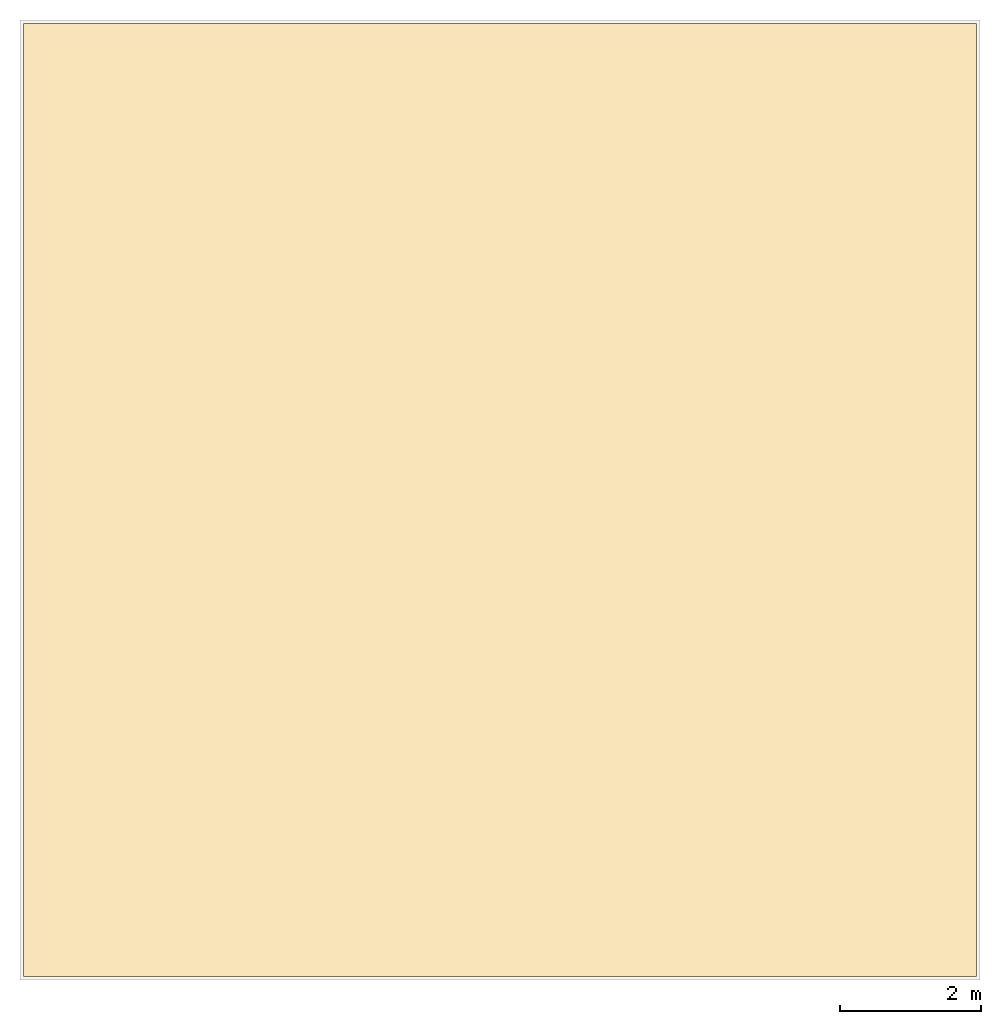
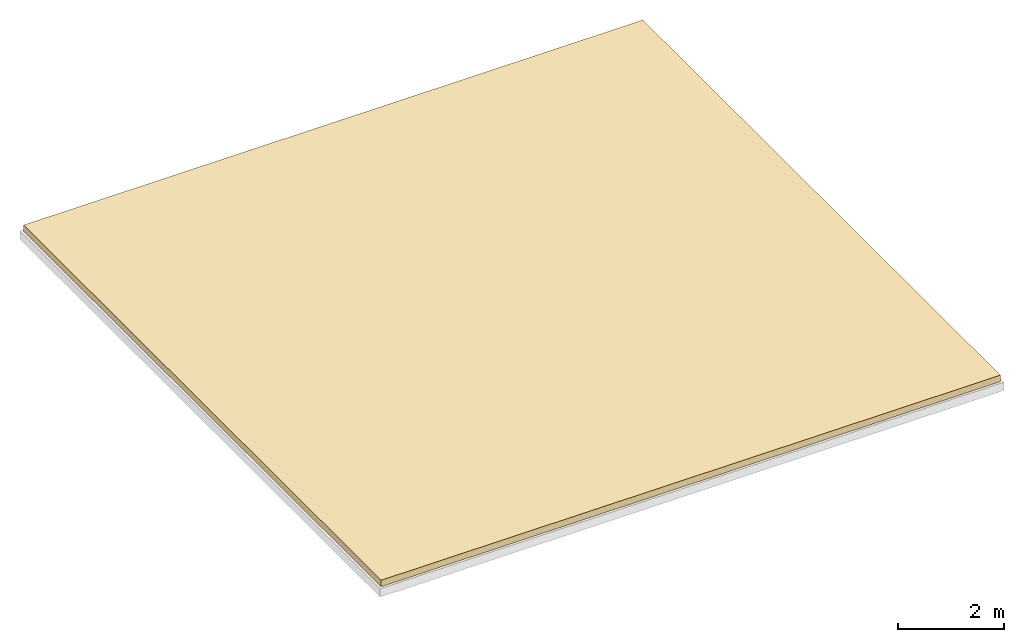
# One storey, part 2 of 2: 1 covering.
"""IFC4 building model written with IfcOpenShell, lengths in metres."""

import ifcopenshell
import ifcopenshell.guid

model = None  # the IFC model being written
_history = None  # IfcOwnerHistory: only IFC2X3 demands one
_inside = {}  # id of a spatial element -> (the spatial element, [elements in it])
_under = {}  # id of a project, library or spatial element -> (it, [spatial elements below it])
_declared = {}  # id of a project -> (the project, [libraries it declares])
_typed = {}  # id of a type object -> (the type object, [elements of that type])
_made_of = {}  # id of a material, layer set ... -> (it, [elements and type objects made of it])


def new_model(schema):
    """Start an empty IFC model of exactly this schema.

    Asked for "IFC4X3", IfcOpenShell would pick the latest addendum, in which some entities
    have other attributes; the version numbers below select the first issue.
    IFC2X3 requires an IfcOwnerHistory on every rooted entity: one is made here for all.
    """
    global model, _history
    if schema == "IFC4X3":
        model = ifcopenshell.file(schema_version=(4, 3, 0, 0))
    else:
        model = ifcopenshell.file(schema=schema)
    _inside.clear()
    _under.clear()
    _declared.clear()
    _typed.clear()
    _made_of.clear()
    _history = None
    if model.schema == "IFC2X3":
        org = make("IfcOrganization", Name="unknown")
        user = make(
            "IfcPersonAndOrganization",
            ThePerson=make("IfcPerson", FamilyName="unknown"),
            TheOrganization=org,
        )
        app = make(
            "IfcApplication",
            ApplicationDeveloper=org,
            Version="unknown",
            ApplicationFullName="unknown",
            ApplicationIdentifier="unknown",
        )
        _history = make(
            "IfcOwnerHistory",
            OwningUser=user,
            OwningApplication=app,
            ChangeAction="ADDED",
            CreationDate=0,
        )
    return model


def make(cls, **values):
    """One entity of the class cls with the attributes given. An attribute that is None is left unset."""
    return model.create_entity(
        cls, **{name: value for name, value in values.items() if value is not None}
    )


def rooted(cls, **values):
    """An entity with a GlobalId (a new one), such as an element, a storey or a relation."""
    return make(cls, GlobalId=ifcopenshell.guid.new(), OwnerHistory=_history, **values)


def si_unit(unit_type, name, prefix=None):
    """IfcSIUnit, for example si_unit("LENGTHUNIT", "METRE", prefix="MILLI")."""
    return make("IfcSIUnit", UnitType=unit_type, Prefix=prefix, Name=name)


def assignment(units):
    """IfcUnitAssignment: the units of a project."""
    return None if units is None else make("IfcUnitAssignment", Units=units)


def point(xyz):
    """IfcCartesianPoint."""
    return None if xyz is None else make("IfcCartesianPoint", Coordinates=xyz)


def direction(xyz):
    """IfcDirection."""
    return None if xyz is None else make("IfcDirection", DirectionRatios=xyz)


def frame(location, z_axis=None, x_axis=None):
    """IfcAxis2Placement3D, a coordinate frame: its origin and axes. An axis left out is left unset."""
    return make(
        "IfcAxis2Placement3D",
        Location=point(location),
        Axis=direction(z_axis),
        RefDirection=direction(x_axis),
    )


def origin():
    """The frame at (0, 0, 0) with its axes left unset."""
    return frame((0.0, 0.0, 0.0))


def place(relative_to, where):
    """IfcLocalPlacement: puts the frame where relative to a parent placement (None: the world)."""
    return make(
        "IfcLocalPlacement", PlacementRelTo=relative_to, RelativePlacement=where
    )


def context(
    kind, dimensions, precision=None, world=None, true_north=None, identifier=None
):
    """IfcGeometricRepresentationContext, for example the 3D "Model" context."""
    return make(
        "IfcGeometricRepresentationContext",
        ContextIdentifier=identifier,
        ContextType=kind,
        CoordinateSpaceDimension=dimensions,
        Precision=precision,
        WorldCoordinateSystem=world,
        TrueNorth=true_north,
    )


def subcontext(parent, identifier, kind, view, scale=None):
    """IfcGeometricRepresentationSubContext, for example "Body" below "Model"."""
    return make(
        "IfcGeometricRepresentationSubContext",
        ContextIdentifier=identifier,
        ContextType=kind,
        ParentContext=parent,
        TargetScale=scale,
        TargetView=view,
    )


def project(units=None, contexts=None):
    """IfcProject with its units and contexts."""
    return rooted(
        "IfcProject",
        Name="project",
        RepresentationContexts=contexts,
        UnitsInContext=assignment(units),
    )


def spatial(cls, under=None, at=None, **own):
    """A site, building, storey or space (cls), placed at a placement, below another one or the project."""
    s = rooted(cls, ObjectPlacement=at, **own)
    if under is not None:
        _under.setdefault(under.id(), (under, []))[1].append(s)
    return s


def polyline(points):
    """IfcPolyline through the points."""
    return make("IfcPolyline", Points=[point(p) for p in points])


def outline(outer, holes=None, kind="AREA"):
    """IfcArbitraryClosedProfileDef: a profile drawn as a closed curve; with holes, ...WithVoids."""
    if holes is None:
        return make("IfcArbitraryClosedProfileDef", ProfileType=kind, OuterCurve=outer)
    return make(
        "IfcArbitraryProfileDefWithVoids",
        ProfileType=kind,
        OuterCurve=outer,
        InnerCurves=holes,
    )


def extrude(swept, where, along, depth):
    """IfcExtrudedAreaSolid: the profile swept, set in the frame where, extruded along a direction by depth."""
    return make(
        "IfcExtrudedAreaSolid",
        SweptArea=swept,
        Position=where,
        ExtrudedDirection=direction(along),
        Depth=depth,
    )


def shape(context_of_items, identifier, shape_type, items):
    """IfcShapeRepresentation: the items that make up one representation, for example the "Body"."""
    return make(
        "IfcShapeRepresentation",
        ContextOfItems=context_of_items,
        RepresentationIdentifier=identifier,
        RepresentationType=shape_type,
        Items=items,
    )


def material(Name=None, Category=None):
    """IfcMaterial."""
    return make("IfcMaterial", Name=Name, Category=Category)


def layer(
    of_material, thickness, ventilated=None, Name=None, Category=None, Priority=None
):
    """IfcMaterialLayer: one layer of a wall or slab, of a material (None: an air gap)."""
    return make(
        "IfcMaterialLayer",
        Material=of_material,
        LayerThickness=thickness,
        IsVentilated=ventilated,
        Name=Name,
        Category=Category,
        Priority=Priority,
    )


def layer_set(layers, Name=None):
    """IfcMaterialLayerSet."""
    return make("IfcMaterialLayerSet", MaterialLayers=layers, LayerSetName=Name)


def made_of(thing, what):
    """Note that an element or type object is made of a material, layer set ...; save() writes the relation."""
    if what is not None:
        _made_of.setdefault(what.id(), (what, []))[1].append(thing)
    return thing


def type_object(cls, material=None, **own):
    """A type object (cls), such as IfcWallType, which elements share."""
    return made_of(rooted(cls, **own), material)


def element(
    cls,
    number,
    at=None,
    inside=None,
    cuts=None,
    type_object=None,
    material=None,
    context=None,
    identifier="Body",
    shape_type=None,
    held_by="IfcProductDefinitionShape",
    body=None,
    shapes=None,
    **own,
):
    """One element of the class cls, such as IfcWall. Its Tag is "e" and its number.

    at: its placement. inside: the storey or other place that contains it. cuts: it is an
    opening in that element (IfcRelVoidsElement). A single representation is given by context,
    identifier, shape_type and body (its items); several are given by shapes. held_by: the class
    of the entity that holds the representations. save() writes the other relations.
    """
    e = rooted(cls, Tag="e%d" % number, ObjectPlacement=at, **own)
    if body is not None:
        shapes = [shape(context, identifier, shape_type, body)]
    if shapes is not None:
        e.Representation = make(held_by, Representations=shapes)
    if inside is not None:
        _inside.setdefault(inside.id(), (inside, []))[1].append(e)
    if cuts is not None:
        rooted(
            "IfcRelVoidsElement", RelatingBuildingElement=cuts, RelatedOpeningElement=e
        )
    if type_object is not None:
        _typed.setdefault(type_object.id(), (type_object, []))[1].append(e)
    return made_of(e, material)


def aggregate(whole, parts):
    """IfcRelAggregates: a whole, such as a stair, and the parts it consists of."""
    return rooted("IfcRelAggregates", RelatingObject=whole, RelatedObjects=parts)


def save(model, path):
    """Write the relations noted so far, then the file.

    IfcRelAggregates (storeys below a building ...), IfcRelContainedInSpatialStructure (elements
    in a storey), IfcRelDefinesByType, IfcRelAssociatesMaterial and IfcRelDeclares: one each for
    every whole, place, type object, material and project.
    """
    for whole, parts in _under.values():
        aggregate(whole, parts)
    for where, things in _inside.values():
        rooted(
            "IfcRelContainedInSpatialStructure",
            RelatedElements=things,
            RelatingStructure=where,
        )
    for kind, things in _typed.values():
        rooted("IfcRelDefinesByType", RelatedObjects=things, RelatingType=kind)
    for what, things in _made_of.values():
        rooted("IfcRelAssociatesMaterial", RelatedObjects=things, RelatingMaterial=what)
    for by, libraries in _declared.values():
        rooted("IfcRelDeclares", RelatingContext=by, RelatedDefinitions=libraries)
    model.write(path)


model = new_model("IFC4")

# Units and contexts
model_context = context("Model", 3, precision=1e-05, world=origin(), true_north=direction((0.0, 1.0)))
body_context = subcontext(model_context, "Body", "Model", "MODEL_VIEW")
ifc_project = project(units=[si_unit("LENGTHUNIT", "METRE"), si_unit("AREAUNIT", "SQUARE_METRE"), si_unit("VOLUMEUNIT", "CUBIC_METRE"), si_unit("PLANEANGLEUNIT", "RADIAN"), si_unit("MASSUNIT", "GRAM", prefix="KILO")], contexts=[model_context])

# Site, building, storey
site_placement = place(None, origin())
site = spatial("IfcSite", under=ifc_project, at=site_placement, CompositionType="ELEMENT")
building_placement = place(site_placement, origin())
building = spatial("IfcBuilding", under=site, at=building_placement, Name="Trevanion Tower", CompositionType="ELEMENT")
storey_placement = place(building_placement, frame((0.0, 0.0, 326.199951171875)))
storey = spatial("IfcBuildingStorey", under=building, at=storey_placement, Name="ROOF T2", CompositionType="ELEMENT", Elevation=326.199951171875)

# Covering
ifc_material = material(Name="TPO membrane on tapered polyisocyanurate insulation", Category="membrane")
ifc_layer = layer(ifc_material, 0.14990234375)
ifc_layer_set = layer_set([ifc_layer], Name="RF1 insulated membrane roofing 150")
covering_type = type_object("IfcCoveringType", Name="RF1 insulated membrane roofing 150", PredefinedType="ROOFING", material=ifc_layer_set)
covering_placement = place(storey_placement, origin())
element("IfcCovering", 1, at=covering_placement, inside=storey, type_object=covering_type, Name="RF1 crown tier 2 roof", PredefinedType="ROOFING", context=body_context, shape_type="SweptSolid", body=[
    extrude(outline(polyline([(6.75, -6.75), (-6.75, -6.75), (-6.75, 6.75), (6.75, 6.75), (6.75, -6.75)])), origin(), (0.0, 0.0, 1.0), 0.150146484375),
])

save(model, "model.ifc")
